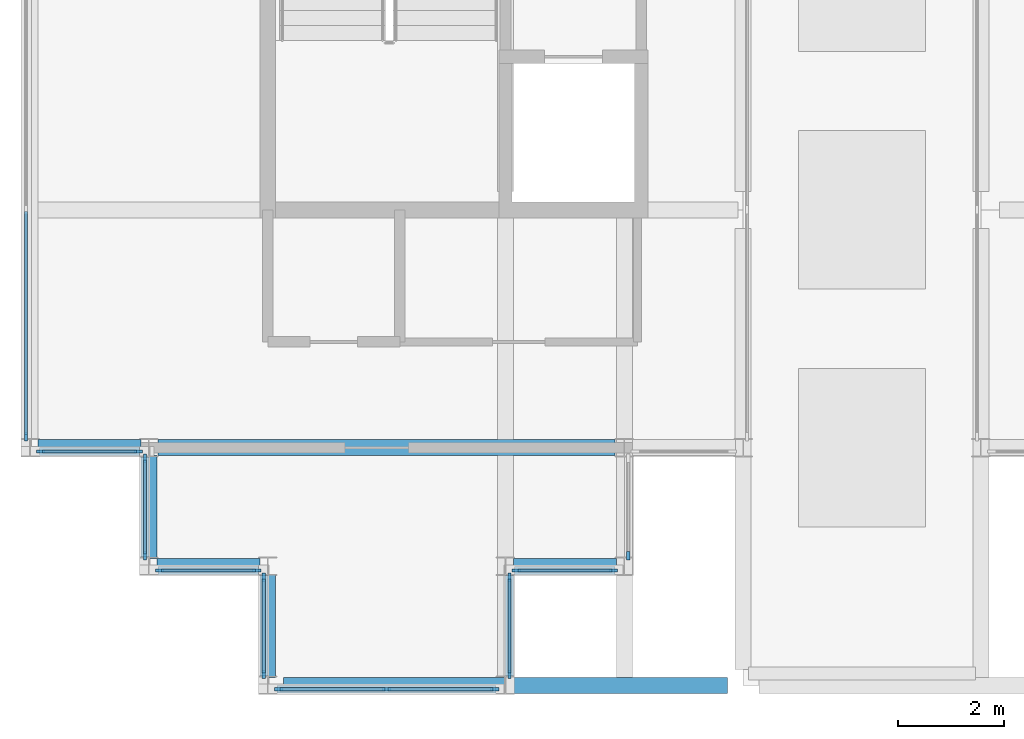
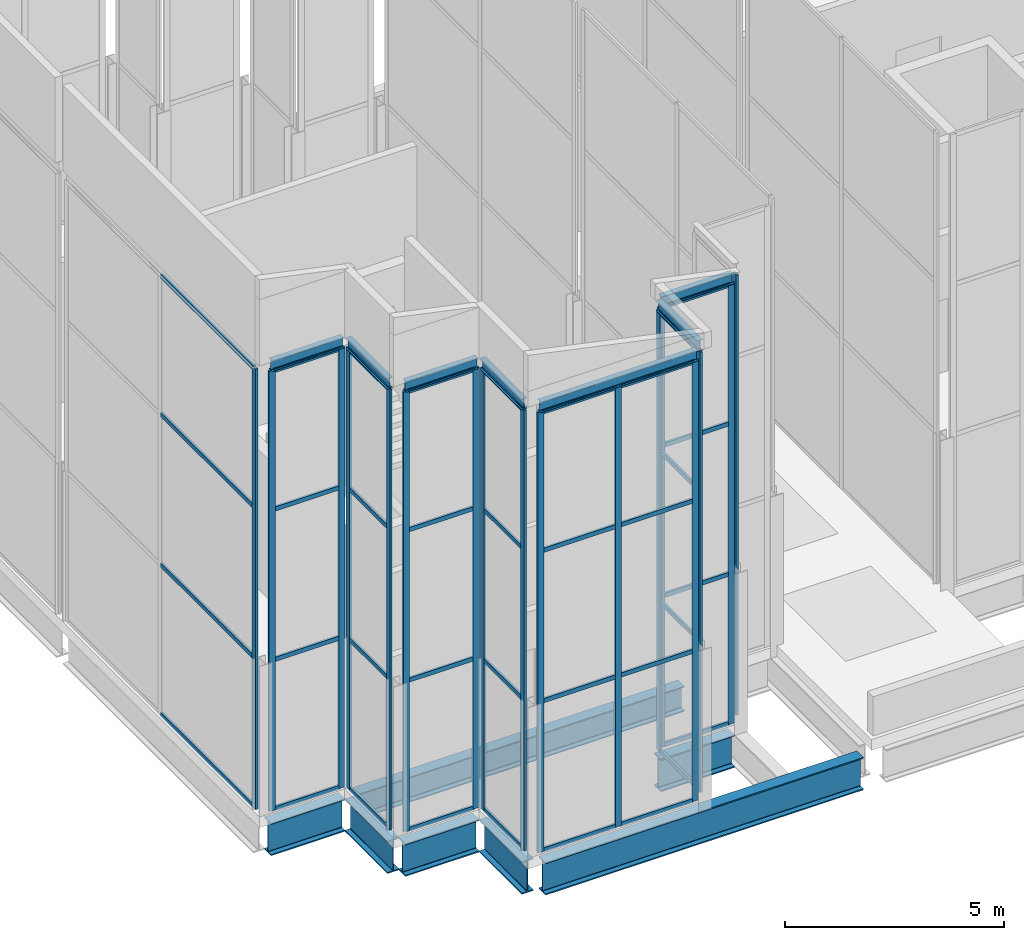
# One storey, part 2 of 23: 53 members, 14 beams, 9 elements without a shape of their own.
"""IFC4 building model written with IfcOpenShell, lengths in metres."""

from ifc_helpers import new_model, si_unit, direction, frame, origin, origin_2d, place, context, subcontext, project, spatial, rectangle, i_section, extrude, material, layer, layer_set, material_profile, profile_set, type_object, element, aggregate, save


model = new_model("IFC4")

# Units and contexts
model_context = context("Model", 3, precision=1e-05, world=origin(), true_north=direction((0.0, 1.0)))
body_context = subcontext(model_context, "Body", "Model", "MODEL_VIEW")
ifc_project = project(units=[si_unit("LENGTHUNIT", "METRE"), si_unit("AREAUNIT", "SQUARE_METRE"), si_unit("VOLUMEUNIT", "CUBIC_METRE"), si_unit("PLANEANGLEUNIT", "RADIAN"), si_unit("MASSUNIT", "GRAM", prefix="KILO")], contexts=[model_context])

# Site, building, storey
site_placement = place(None, origin())
site = spatial("IfcSite", under=ifc_project, at=site_placement, CompositionType="ELEMENT")
building_placement = place(site_placement, origin())
building = spatial("IfcBuilding", under=site, at=building_placement, Name="Caravel Reach Hotel and Residences", CompositionType="ELEMENT")
storey_placement = place(building_placement, frame((0.0, 0.0, 312.800048828125)))
storey = spatial("IfcBuildingStorey", under=building, at=storey_placement, Name="L79", CompositionType="ELEMENT", Elevation=312.800048828125)

# Beams
ifc_material_1 = material(Name="Structural steel Q355B", Category="steel")
ifc_material_profile_1 = material_profile(ifc_material_1, i_section(OverallWidth=0.14990234375, OverallDepth=0.300048828125, WebThickness=0.006591796875, FlangeThickness=0.009033203125, FilletRadius=0.012939453125, at=origin_2d()), Name="HN 300x150x6.5x9")
ifc_profile_set_1 = profile_set([ifc_material_profile_1], Name="Structural steel Q355B")
beam_type_1 = type_object("IfcBeamType", Name="Beam HN 300x150x6.5x9", PredefinedType="BEAM", material=ifc_profile_set_1)
for number, where, z_axis, x_axis, name in (
    (1, (22.574951171875, 13.675048828125, 12.449951171875), (0.0, 1.0, 0.0), (-1.0, 0.0, 0.0), "Eave tie beam west 21.1"),
    (2, (22.675048828125, 15.675048828125, 12.449951171875), (1.0, 0.0, 0.0), (0.0, 1.0, 0.0), "Eave tie beam west 22.1"),
    (3, (13.675048828125, 17.925048828125, 12.449951171875), (1.0, 0.0, 0.0), (0.0, 1.0, 0.0), "Eave tie beam west 36.1"),
    (4, (15.675048828125, 17.824951171875, 12.449951171875), (0.0, -1.0, 0.0), (1.0, 0.0, 0.0), "Eave tie beam west 37.1"),
    (5, (15.925048828125, 15.675048828125, 12.449951171875), (1.0, 0.0, 0.0), (0.0, 1.0, 0.0), "Eave tie beam west 38.1"),
    (6, (17.925048828125, 15.574951171875, 12.449951171875), (0.0, -1.0, 0.0), (1.0, 0.0, 0.0), "Eave tie beam west 39.1"),
):
    element("IfcBeam", number, at=place(storey_placement, frame(where, z_axis=z_axis, x_axis=x_axis)), inside=storey, type_object=beam_type_1, Name=name, PredefinedType="BEAM", context=body_context, shape_type="SweptSolid", body=[
        extrude(i_section(OverallWidth=0.14990234375, OverallDepth=0.300048828125, WebThickness=0.006591796875, FlangeThickness=0.009033203125, FilletRadius=0.012939453125, at=origin_2d()), origin(), (0.0, 0.0, 1.0), 1.89990234375),
    ])
beam_1_placement = place(storey_placement, frame((18.175048828125, 13.425048828125, 12.449951171875), z_axis=(1.0, 0.0, 0.0), x_axis=(0.0, 1.0, 0.0)))
element("IfcBeam", 7, at=beam_1_placement, inside=storey, type_object=beam_type_1, Name="Eave tie beam west 40.1", PredefinedType="BEAM", context=body_context, shape_type="SweptSolid", body=[
    extrude(i_section(OverallWidth=0.14990234375, OverallDepth=0.300048828125, WebThickness=0.006591796875, FlangeThickness=0.009033203125, FilletRadius=0.012939453125, at=origin_2d()), origin(), (0.0, 0.0, 1.0), 4.14990234375),
])
ifc_material_2 = material(Name="Structural steel Q355B", Category="steel")
ifc_material_profile_2 = material_profile(ifc_material_2, i_section(OverallWidth=0.300048828125, OverallDepth=0.699951171875, WebThickness=0.012939453125, FlangeThickness=0.02392578125, FilletRadius=0.01806640625, at=origin_2d()), Name="HN 700x300x13x24")
ifc_profile_set_2 = profile_set([ifc_material_profile_2], Name="Structural steel Q355B")
beam_type_2 = type_object("IfcBeamType", Name="Beam HN 700x300x13x24", PredefinedType="BEAM", material=ifc_profile_set_2)
beam_2_placement = place(storey_placement, frame((15.925048828125, 18.0, -0.650146484375), z_axis=(1.0, 0.0, 0.0), x_axis=(0.0, 1.0, 0.0)))
element("IfcBeam", 8, at=beam_2_placement, inside=storey, type_object=beam_type_2, Name="B2 HN 700x300x13x24", PredefinedType="BEAM", context=body_context, shape_type="SweptSolid", body=[
    extrude(i_section(OverallWidth=0.300048828125, OverallDepth=0.699951171875, WebThickness=0.012939453125, FlangeThickness=0.02392578125, FilletRadius=0.01806640625, at=origin_2d()), origin(), (0.0, 0.0, 1.0), 8.64990234375),
])
ifc_material_3 = material(Name="Structural steel Q355B", Category="steel")
ifc_material_profile_3 = material_profile(ifc_material_3, i_section(OverallWidth=0.302001953125, OverallDepth=0.912109375, WebThickness=0.01806640625, FlangeThickness=0.033935546875, FilletRadius=0.01806640625, at=origin_2d()), Name="HN 900x300x18x34")
ifc_profile_set_3 = profile_set([ifc_material_profile_3], Name="Structural steel Q355B")
beam_type_3 = type_object("IfcBeamType", Name="Beam HN 900x300x18x34", PredefinedType="BEAM", material=ifc_profile_set_3)
for number, where, z_axis, x_axis, name in (
    (9, (22.64990234375, 15.75, -0.756103515625), (1.0, 0.0, 0.0), (0.0, 1.0, 0.0), "B10 HN 900x300x18x34"),
    (10, (13.64990234375, 18.0, -0.756103515625), (1.0, 0.0, 0.0), (0.0, 1.0, 0.0), "B10 HN 900x300x18x34"),
    (11, (15.75, 17.85009765625, -0.756103515625), (0.0, -1.0, 0.0), (1.0, 0.0, 0.0), "B10 HN 900x300x18x34"),
    (12, (15.89990234375, 15.75, -0.756103515625), (1.0, 0.0, 0.0), (0.0, 1.0, 0.0), "B10 HN 900x300x18x34"),
    (13, (18.0, 15.60009765625, -0.756103515625), (0.0, -1.0, 0.0), (1.0, 0.0, 0.0), "B10 HN 900x300x18x34"),
):
    element("IfcBeam", number, at=place(storey_placement, frame(where, z_axis=z_axis, x_axis=x_axis)), inside=storey, type_object=beam_type_3, Name=name, PredefinedType="BEAM", context=body_context, shape_type="SweptSolid", body=[
        extrude(i_section(OverallWidth=0.302001953125, OverallDepth=0.912109375, WebThickness=0.01806640625, FlangeThickness=0.033935546875, FilletRadius=0.01806640625, at=origin_2d()), origin(), (0.0, 0.0, 1.0), 1.9501953125),
    ])
beam_3_placement = place(storey_placement, frame((18.300048828125, 13.5, -0.756103515625), z_axis=(1.0, 0.0, 0.0), x_axis=(0.0, 1.0, 0.0)))
element("IfcBeam", 14, at=beam_3_placement, inside=storey, type_object=beam_type_3, Name="Transfer girder TG-L79-Y135-180", PredefinedType="BEAM", context=body_context, shape_type="SweptSolid", body=[
    extrude(i_section(OverallWidth=0.302001953125, OverallDepth=0.912109375, WebThickness=0.01806640625, FlangeThickness=0.033935546875, FilletRadius=0.01806640625, at=origin_2d()), origin(), (0.0, 0.0, 1.0), 8.39990234375),
])

# Curtain wall, members
ifc_material_4 = material(Name="Dark low-e glazing in black aluminium frame", Category="aluminium")
ifc_layer = layer(ifc_material_4, 0.199951171875)
ifc_layer_set = layer_set([ifc_layer], Name="CW4 Crown glazing")
curtain_wall_type = type_object("IfcCurtainWallType", Name="CW4 Crown glazing", PredefinedType="NOTDEFINED", material=ifc_layer_set)
curtain_wall_1_placement = place(storey_placement, origin())
curtain_wall_1 = element("IfcCurtainWall", 15, at=curtain_wall_1_placement, inside=storey, type_object=curtain_wall_type, Name="Crown glazing b0", PredefinedType="NOTDEFINED")
ifc_material_5 = material(Name="Anodised aluminium alloy 6063-T5, black", Category="aluminium")
ifc_material_profile_4 = material_profile(ifc_material_5, rectangle(XDim=0.06005859375, YDim=0.159912109375, at=origin_2d()), Name="CW mullion 60 x 160")
ifc_profile_set_4 = profile_set([ifc_material_profile_4], Name="Anodised aluminium alloy 6063-T5, black")
member_type_1 = type_object("IfcMemberType", Name="CW mullion 60 x 160", PredefinedType="MULLION", material=ifc_profile_set_4)
member_1_placement = place(storey_placement, frame((22.574951171875, 13.705078125, 0.0), z_axis=(0.0, 0.0, 1.0), x_axis=(-1.0, 0.0, 0.0)))
member_1 = element("IfcMember", 16, at=member_1_placement, type_object=member_type_1, Name="CW4 mullion 1", PredefinedType="MULLION", context=body_context, shape_type="SweptSolid", body=[
    extrude(rectangle(XDim=0.06005859375, YDim=0.159912109375, at=origin_2d()), origin(), (0.0, 0.0, 1.0), 12.300048828125),
])
member_2_placement = place(storey_placement, frame((22.574951171875, 15.544921875, 0.0), z_axis=(0.0, 0.0, 1.0), x_axis=(-1.0, 0.0, 0.0)))
member_2 = element("IfcMember", 17, at=member_2_placement, type_object=member_type_1, Name="CW4 mullion 2", PredefinedType="MULLION", context=body_context, shape_type="SweptSolid", body=[
    extrude(rectangle(XDim=0.06005859375, YDim=0.159912109375, at=origin_2d()), origin(), (0.0, 0.0, 1.0), 12.300048828125),
])

curtain_wall_2_placement = place(storey_placement, origin())
curtain_wall_2 = element("IfcCurtainWall", 18, at=curtain_wall_2_placement, inside=storey, type_object=curtain_wall_type, Name="Crown glazing b0", PredefinedType="NOTDEFINED")
member_3_placement = place(storey_placement, frame((22.705078125, 15.675048828125, 0.0), z_axis=(0.0, 0.0, 1.0), x_axis=(0.0, 1.0, 0.0)))
member_3 = element("IfcMember", 19, at=member_3_placement, type_object=member_type_1, Name="CW4 mullion 1", PredefinedType="MULLION", context=body_context, shape_type="SweptSolid", body=[
    extrude(rectangle(XDim=0.06005859375, YDim=0.159912109375, at=origin_2d()), origin(), (0.0, 0.0, 1.0), 12.300048828125),
])
member_4_placement = place(storey_placement, frame((24.544921875, 15.675048828125, 0.0), z_axis=(0.0, 0.0, 1.0), x_axis=(0.0, 1.0, 0.0)))
member_4 = element("IfcMember", 20, at=member_4_placement, type_object=member_type_1, Name="CW4 mullion 2", PredefinedType="MULLION", context=body_context, shape_type="SweptSolid", body=[
    extrude(rectangle(XDim=0.06005859375, YDim=0.159912109375, at=origin_2d()), origin(), (0.0, 0.0, 1.0), 12.300048828125),
])

# Curtain wall, member
curtain_wall_3_placement = place(storey_placement, origin())
curtain_wall_3 = element("IfcCurtainWall", 21, at=curtain_wall_3_placement, inside=storey, type_object=curtain_wall_type, Name="Crown glazing b0", PredefinedType="NOTDEFINED")
member_5_placement = place(storey_placement, frame((24.824951171875, 15.955078125, 0.0), z_axis=(0.0, 0.0, 1.0), x_axis=(-1.0, 0.0, 0.0)))
member_5 = element("IfcMember", 22, at=member_5_placement, type_object=member_type_1, Name="CW4 mullion 1", PredefinedType="MULLION", context=body_context, shape_type="SweptSolid", body=[
    extrude(rectangle(XDim=0.06005859375, YDim=0.159912109375, at=origin_2d()), origin(), (0.0, 0.0, 1.0), 12.300048828125),
])
aggregate(curtain_wall_3, [member_5])

curtain_wall_4_placement = place(storey_placement, origin())
curtain_wall_4 = element("IfcCurtainWall", 23, at=curtain_wall_4_placement, inside=storey, type_object=curtain_wall_type, Name="Crown glazing b1", PredefinedType="NOTDEFINED")
member_6_placement = place(storey_placement, frame((13.425048828125, 18.205078125, 0.0), z_axis=(0.0, 0.0, 1.0), x_axis=(1.0, 0.0, 0.0)))
member_6 = element("IfcMember", 24, at=member_6_placement, type_object=member_type_1, Name="CW4 mullion 3", PredefinedType="MULLION", context=body_context, shape_type="SweptSolid", body=[
    extrude(rectangle(XDim=0.06005859375, YDim=0.159912109375, at=origin_2d()), origin(), (0.0, 0.0, 1.0), 12.300048828125),
])

# Curtain wall, members
curtain_wall_5_placement = place(storey_placement, origin())
curtain_wall_5 = element("IfcCurtainWall", 25, at=curtain_wall_5_placement, inside=storey, type_object=curtain_wall_type, Name="Crown glazing b0", PredefinedType="NOTDEFINED")
member_7_placement = place(storey_placement, frame((13.705078125, 17.925048828125, 0.0), z_axis=(0.0, 0.0, 1.0), x_axis=(0.0, 1.0, 0.0)))
member_7 = element("IfcMember", 26, at=member_7_placement, type_object=member_type_1, Name="CW4 mullion 1", PredefinedType="MULLION", context=body_context, shape_type="SweptSolid", body=[
    extrude(rectangle(XDim=0.06005859375, YDim=0.159912109375, at=origin_2d()), origin(), (0.0, 0.0, 1.0), 12.300048828125),
])
member_8_placement = place(storey_placement, frame((15.544921875, 17.925048828125, 0.0), z_axis=(0.0, 0.0, 1.0), x_axis=(0.0, 1.0, 0.0)))
member_8 = element("IfcMember", 27, at=member_8_placement, type_object=member_type_1, Name="CW4 mullion 2", PredefinedType="MULLION", context=body_context, shape_type="SweptSolid", body=[
    extrude(rectangle(XDim=0.06005859375, YDim=0.159912109375, at=origin_2d()), origin(), (0.0, 0.0, 1.0), 12.300048828125),
])

curtain_wall_6_placement = place(storey_placement, origin())
curtain_wall_6 = element("IfcCurtainWall", 28, at=curtain_wall_6_placement, inside=storey, type_object=curtain_wall_type, Name="Crown glazing b0", PredefinedType="NOTDEFINED")
member_9_placement = place(storey_placement, frame((15.675048828125, 17.794921875, 0.0), z_axis=(0.0, 0.0, 1.0), x_axis=(1.0, 0.0, 0.0)))
member_9 = element("IfcMember", 29, at=member_9_placement, type_object=member_type_1, Name="CW4 mullion 1", PredefinedType="MULLION", context=body_context, shape_type="SweptSolid", body=[
    extrude(rectangle(XDim=0.06005859375, YDim=0.159912109375, at=origin_2d()), origin(), (0.0, 0.0, 1.0), 12.300048828125),
])
member_10_placement = place(storey_placement, frame((15.675048828125, 15.955078125, 0.0), z_axis=(0.0, 0.0, 1.0), x_axis=(1.0, 0.0, 0.0)))
member_10 = element("IfcMember", 30, at=member_10_placement, type_object=member_type_1, Name="CW4 mullion 2", PredefinedType="MULLION", context=body_context, shape_type="SweptSolid", body=[
    extrude(rectangle(XDim=0.06005859375, YDim=0.159912109375, at=origin_2d()), origin(), (0.0, 0.0, 1.0), 12.300048828125),
])

curtain_wall_7_placement = place(storey_placement, origin())
curtain_wall_7 = element("IfcCurtainWall", 31, at=curtain_wall_7_placement, inside=storey, type_object=curtain_wall_type, Name="Crown glazing b0", PredefinedType="NOTDEFINED")
member_11_placement = place(storey_placement, frame((15.955078125, 15.675048828125, 0.0), z_axis=(0.0, 0.0, 1.0), x_axis=(0.0, 1.0, 0.0)))
member_11 = element("IfcMember", 32, at=member_11_placement, type_object=member_type_1, Name="CW4 mullion 1", PredefinedType="MULLION", context=body_context, shape_type="SweptSolid", body=[
    extrude(rectangle(XDim=0.06005859375, YDim=0.159912109375, at=origin_2d()), origin(), (0.0, 0.0, 1.0), 12.300048828125),
])
member_12_placement = place(storey_placement, frame((17.794921875, 15.675048828125, 0.0), z_axis=(0.0, 0.0, 1.0), x_axis=(0.0, 1.0, 0.0)))
member_12 = element("IfcMember", 33, at=member_12_placement, type_object=member_type_1, Name="CW4 mullion 2", PredefinedType="MULLION", context=body_context, shape_type="SweptSolid", body=[
    extrude(rectangle(XDim=0.06005859375, YDim=0.159912109375, at=origin_2d()), origin(), (0.0, 0.0, 1.0), 12.300048828125),
])

curtain_wall_8_placement = place(storey_placement, origin())
curtain_wall_8 = element("IfcCurtainWall", 34, at=curtain_wall_8_placement, inside=storey, type_object=curtain_wall_type, Name="Crown glazing b0", PredefinedType="NOTDEFINED")
member_13_placement = place(storey_placement, frame((17.925048828125, 15.544921875, 0.0), z_axis=(0.0, 0.0, 1.0), x_axis=(1.0, 0.0, 0.0)))
member_13 = element("IfcMember", 35, at=member_13_placement, type_object=member_type_1, Name="CW4 mullion 1", PredefinedType="MULLION", context=body_context, shape_type="SweptSolid", body=[
    extrude(rectangle(XDim=0.06005859375, YDim=0.159912109375, at=origin_2d()), origin(), (0.0, 0.0, 1.0), 12.300048828125),
])
member_14_placement = place(storey_placement, frame((17.925048828125, 13.705078125, 0.0), z_axis=(0.0, 0.0, 1.0), x_axis=(1.0, 0.0, 0.0)))
member_14 = element("IfcMember", 36, at=member_14_placement, type_object=member_type_1, Name="CW4 mullion 2", PredefinedType="MULLION", context=body_context, shape_type="SweptSolid", body=[
    extrude(rectangle(XDim=0.06005859375, YDim=0.159912109375, at=origin_2d()), origin(), (0.0, 0.0, 1.0), 12.300048828125),
])

curtain_wall_9_placement = place(storey_placement, origin())
curtain_wall_9 = element("IfcCurtainWall", 37, at=curtain_wall_9_placement, inside=storey, type_object=curtain_wall_type, Name="Crown glazing b0", PredefinedType="NOTDEFINED")
member_15_placement = place(storey_placement, frame((18.205078125, 13.425048828125, 0.0), z_axis=(0.0, 0.0, 1.0), x_axis=(0.0, 1.0, 0.0)))
member_15 = element("IfcMember", 38, at=member_15_placement, type_object=member_type_1, Name="CW4 mullion 1", PredefinedType="MULLION", context=body_context, shape_type="SweptSolid", body=[
    extrude(rectangle(XDim=0.06005859375, YDim=0.159912109375, at=origin_2d()), origin(), (0.0, 0.0, 1.0), 12.300048828125),
])
member_16_placement = place(storey_placement, frame((20.25, 13.425048828125, 0.0), z_axis=(0.0, 0.0, 1.0), x_axis=(0.0, 1.0, 0.0)))
member_16 = element("IfcMember", 39, at=member_16_placement, type_object=member_type_1, Name="CW4 mullion 2", PredefinedType="MULLION", context=body_context, shape_type="SweptSolid", body=[
    extrude(rectangle(XDim=0.06005859375, YDim=0.159912109375, at=origin_2d()), origin(), (0.0, 0.0, 1.0), 12.300048828125),
])
member_17_placement = place(storey_placement, frame((22.294921875, 13.425048828125, 0.0), z_axis=(0.0, 0.0, 1.0), x_axis=(0.0, 1.0, 0.0)))
member_17 = element("IfcMember", 40, at=member_17_placement, type_object=member_type_1, Name="CW4 mullion 3", PredefinedType="MULLION", context=body_context, shape_type="SweptSolid", body=[
    extrude(rectangle(XDim=0.06005859375, YDim=0.159912109375, at=origin_2d()), origin(), (0.0, 0.0, 1.0), 12.300048828125),
])

# Member
ifc_material_6 = material(Name="Anodised aluminium alloy 6063-T5, black", Category="aluminium")
ifc_material_profile_5 = material_profile(ifc_material_6, rectangle(XDim=0.06005859375, YDim=0.1201171875, at=origin_2d()), Name="CW transom 60 x 120")
ifc_profile_set_5 = profile_set([ifc_material_profile_5], Name="Anodised aluminium alloy 6063-T5, black")
member_type_2 = type_object("IfcMemberType", Name="CW transom 60 x 120", PredefinedType="USERDEFINED", material=ifc_profile_set_5)
member_18_placement = place(storey_placement, frame((22.574951171875, 13.735107421875, 0.030029296875), z_axis=(0.0, 1.0, 0.0), x_axis=(-1.0, 0.0, 0.0)))
member_18 = element("IfcMember", 41, at=member_18_placement, type_object=member_type_2, Name="CW4 transom 1.1", ObjectType="TRANSOM", PredefinedType="USERDEFINED", context=body_context, shape_type="SweptSolid", body=[
    extrude(rectangle(XDim=0.06005859375, YDim=0.1201171875, at=origin_2d()), origin(), (0.0, 0.0, 1.0), 1.77978515625),
])

member_19_placement = place(storey_placement, frame((22.574951171875, 13.735107421875, 4.199951171875), z_axis=(0.0, 1.0, 0.0), x_axis=(-1.0, 0.0, 0.0)))
member_19 = element("IfcMember", 42, at=member_19_placement, type_object=member_type_2, Name="CW4 transom 1.2", ObjectType="TRANSOM", PredefinedType="USERDEFINED", context=body_context, shape_type="SweptSolid", body=[
    extrude(rectangle(XDim=0.06005859375, YDim=0.1201171875, at=origin_2d()), origin(), (0.0, 0.0, 1.0), 1.77978515625),
])

member_20_placement = place(storey_placement, frame((22.574951171875, 13.735107421875, 8.39990234375), z_axis=(0.0, 1.0, 0.0), x_axis=(-1.0, 0.0, 0.0)))
member_20 = element("IfcMember", 43, at=member_20_placement, type_object=member_type_2, Name="CW4 transom 1.3", ObjectType="TRANSOM", PredefinedType="USERDEFINED", context=body_context, shape_type="SweptSolid", body=[
    extrude(rectangle(XDim=0.06005859375, YDim=0.1201171875, at=origin_2d()), origin(), (0.0, 0.0, 1.0), 1.77978515625),
])

member_21_placement = place(storey_placement, frame((22.574951171875, 13.735107421875, 12.27001953125), z_axis=(0.0, 1.0, 0.0), x_axis=(-1.0, 0.0, 0.0)))
member_21 = element("IfcMember", 44, at=member_21_placement, type_object=member_type_2, Name="CW4 transom 1.4", ObjectType="TRANSOM", PredefinedType="USERDEFINED", context=body_context, shape_type="SweptSolid", body=[
    extrude(rectangle(XDim=0.06005859375, YDim=0.1201171875, at=origin_2d()), origin(), (0.0, 0.0, 1.0), 1.77978515625),
])

aggregate(curtain_wall_1, [member_1, member_2, member_18, member_19, member_20, member_21])

member_22_placement = place(storey_placement, frame((22.735107421875, 15.675048828125, 0.030029296875), z_axis=(1.0, 0.0, 0.0), x_axis=(0.0, 1.0, 0.0)))
member_22 = element("IfcMember", 45, at=member_22_placement, type_object=member_type_2, Name="CW4 transom 1.1", ObjectType="TRANSOM", PredefinedType="USERDEFINED", context=body_context, shape_type="SweptSolid", body=[
    extrude(rectangle(XDim=0.06005859375, YDim=0.1201171875, at=origin_2d()), origin(), (0.0, 0.0, 1.0), 1.77978515625),
])

member_23_placement = place(storey_placement, frame((22.735107421875, 15.675048828125, 4.199951171875), z_axis=(1.0, 0.0, 0.0), x_axis=(0.0, 1.0, 0.0)))
member_23 = element("IfcMember", 46, at=member_23_placement, type_object=member_type_2, Name="CW4 transom 1.2", ObjectType="TRANSOM", PredefinedType="USERDEFINED", context=body_context, shape_type="SweptSolid", body=[
    extrude(rectangle(XDim=0.06005859375, YDim=0.1201171875, at=origin_2d()), origin(), (0.0, 0.0, 1.0), 1.77978515625),
])

member_24_placement = place(storey_placement, frame((22.735107421875, 15.675048828125, 8.39990234375), z_axis=(1.0, 0.0, 0.0), x_axis=(0.0, 1.0, 0.0)))
member_24 = element("IfcMember", 47, at=member_24_placement, type_object=member_type_2, Name="CW4 transom 1.3", ObjectType="TRANSOM", PredefinedType="USERDEFINED", context=body_context, shape_type="SweptSolid", body=[
    extrude(rectangle(XDim=0.06005859375, YDim=0.1201171875, at=origin_2d()), origin(), (0.0, 0.0, 1.0), 1.77978515625),
])

member_25_placement = place(storey_placement, frame((22.735107421875, 15.675048828125, 12.27001953125), z_axis=(1.0, 0.0, 0.0), x_axis=(0.0, 1.0, 0.0)))
member_25 = element("IfcMember", 48, at=member_25_placement, type_object=member_type_2, Name="CW4 transom 1.4", ObjectType="TRANSOM", PredefinedType="USERDEFINED", context=body_context, shape_type="SweptSolid", body=[
    extrude(rectangle(XDim=0.06005859375, YDim=0.1201171875, at=origin_2d()), origin(), (0.0, 0.0, 1.0), 1.77978515625),
])

aggregate(curtain_wall_2, [member_3, member_4, member_22, member_23, member_24, member_25])

member_26_placement = place(storey_placement, frame((13.425048828125, 22.469970703125, 0.030029296875), z_axis=(0.0, -1.0, 0.0), x_axis=(1.0, 0.0, 0.0)))
member_26 = element("IfcMember", 49, at=member_26_placement, type_object=member_type_2, Name="CW4 transom 2.1", ObjectType="TRANSOM", PredefinedType="USERDEFINED", context=body_context, shape_type="SweptSolid", body=[
    extrude(rectangle(XDim=0.06005859375, YDim=0.1201171875, at=origin_2d()), origin(), (0.0, 0.0, 1.0), 4.23486328125),
])

member_27_placement = place(storey_placement, frame((13.425048828125, 22.469970703125, 4.199951171875), z_axis=(0.0, -1.0, 0.0), x_axis=(1.0, 0.0, 0.0)))
member_27 = element("IfcMember", 50, at=member_27_placement, type_object=member_type_2, Name="CW4 transom 2.2", ObjectType="TRANSOM", PredefinedType="USERDEFINED", context=body_context, shape_type="SweptSolid", body=[
    extrude(rectangle(XDim=0.06005859375, YDim=0.1201171875, at=origin_2d()), origin(), (0.0, 0.0, 1.0), 4.23486328125),
])

member_28_placement = place(storey_placement, frame((13.425048828125, 22.469970703125, 8.39990234375), z_axis=(0.0, -1.0, 0.0), x_axis=(1.0, 0.0, 0.0)))
member_28 = element("IfcMember", 51, at=member_28_placement, type_object=member_type_2, Name="CW4 transom 2.3", ObjectType="TRANSOM", PredefinedType="USERDEFINED", context=body_context, shape_type="SweptSolid", body=[
    extrude(rectangle(XDim=0.06005859375, YDim=0.1201171875, at=origin_2d()), origin(), (0.0, 0.0, 1.0), 4.23486328125),
])

member_29_placement = place(storey_placement, frame((13.425048828125, 22.469970703125, 12.27001953125), z_axis=(0.0, -1.0, 0.0), x_axis=(1.0, 0.0, 0.0)))
member_29 = element("IfcMember", 52, at=member_29_placement, type_object=member_type_2, Name="CW4 transom 2.4", ObjectType="TRANSOM", PredefinedType="USERDEFINED", context=body_context, shape_type="SweptSolid", body=[
    extrude(rectangle(XDim=0.06005859375, YDim=0.1201171875, at=origin_2d()), origin(), (0.0, 0.0, 1.0), 4.23486328125),
])

aggregate(curtain_wall_4, [member_6, member_26, member_27, member_28, member_29])

member_30_placement = place(storey_placement, frame((13.735107421875, 17.925048828125, 0.030029296875), z_axis=(1.0, 0.0, 0.0), x_axis=(0.0, 1.0, 0.0)))
member_30 = element("IfcMember", 53, at=member_30_placement, type_object=member_type_2, Name="CW4 transom 1.1", ObjectType="TRANSOM", PredefinedType="USERDEFINED", context=body_context, shape_type="SweptSolid", body=[
    extrude(rectangle(XDim=0.06005859375, YDim=0.1201171875, at=origin_2d()), origin(), (0.0, 0.0, 1.0), 1.77978515625),
])

member_31_placement = place(storey_placement, frame((13.735107421875, 17.925048828125, 4.199951171875), z_axis=(1.0, 0.0, 0.0), x_axis=(0.0, 1.0, 0.0)))
member_31 = element("IfcMember", 54, at=member_31_placement, type_object=member_type_2, Name="CW4 transom 1.2", ObjectType="TRANSOM", PredefinedType="USERDEFINED", context=body_context, shape_type="SweptSolid", body=[
    extrude(rectangle(XDim=0.06005859375, YDim=0.1201171875, at=origin_2d()), origin(), (0.0, 0.0, 1.0), 1.77978515625),
])

member_32_placement = place(storey_placement, frame((13.735107421875, 17.925048828125, 8.39990234375), z_axis=(1.0, 0.0, 0.0), x_axis=(0.0, 1.0, 0.0)))
member_32 = element("IfcMember", 55, at=member_32_placement, type_object=member_type_2, Name="CW4 transom 1.3", ObjectType="TRANSOM", PredefinedType="USERDEFINED", context=body_context, shape_type="SweptSolid", body=[
    extrude(rectangle(XDim=0.06005859375, YDim=0.1201171875, at=origin_2d()), origin(), (0.0, 0.0, 1.0), 1.77978515625),
])

member_33_placement = place(storey_placement, frame((13.735107421875, 17.925048828125, 12.27001953125), z_axis=(1.0, 0.0, 0.0), x_axis=(0.0, 1.0, 0.0)))
member_33 = element("IfcMember", 56, at=member_33_placement, type_object=member_type_2, Name="CW4 transom 1.4", ObjectType="TRANSOM", PredefinedType="USERDEFINED", context=body_context, shape_type="SweptSolid", body=[
    extrude(rectangle(XDim=0.06005859375, YDim=0.1201171875, at=origin_2d()), origin(), (0.0, 0.0, 1.0), 1.77978515625),
])

aggregate(curtain_wall_5, [member_7, member_8, member_30, member_31, member_32, member_33])

member_34_placement = place(storey_placement, frame((15.675048828125, 17.764892578125, 0.030029296875), z_axis=(0.0, -1.0, 0.0), x_axis=(1.0, 0.0, 0.0)))
member_34 = element("IfcMember", 57, at=member_34_placement, type_object=member_type_2, Name="CW4 transom 1.1", ObjectType="TRANSOM", PredefinedType="USERDEFINED", context=body_context, shape_type="SweptSolid", body=[
    extrude(rectangle(XDim=0.06005859375, YDim=0.1201171875, at=origin_2d()), origin(), (0.0, 0.0, 1.0), 1.77978515625),
])

member_35_placement = place(storey_placement, frame((15.675048828125, 17.764892578125, 4.199951171875), z_axis=(0.0, -1.0, 0.0), x_axis=(1.0, 0.0, 0.0)))
member_35 = element("IfcMember", 58, at=member_35_placement, type_object=member_type_2, Name="CW4 transom 1.2", ObjectType="TRANSOM", PredefinedType="USERDEFINED", context=body_context, shape_type="SweptSolid", body=[
    extrude(rectangle(XDim=0.06005859375, YDim=0.1201171875, at=origin_2d()), origin(), (0.0, 0.0, 1.0), 1.77978515625),
])

member_36_placement = place(storey_placement, frame((15.675048828125, 17.764892578125, 8.39990234375), z_axis=(0.0, -1.0, 0.0), x_axis=(1.0, 0.0, 0.0)))
member_36 = element("IfcMember", 59, at=member_36_placement, type_object=member_type_2, Name="CW4 transom 1.3", ObjectType="TRANSOM", PredefinedType="USERDEFINED", context=body_context, shape_type="SweptSolid", body=[
    extrude(rectangle(XDim=0.06005859375, YDim=0.1201171875, at=origin_2d()), origin(), (0.0, 0.0, 1.0), 1.77978515625),
])

member_37_placement = place(storey_placement, frame((15.675048828125, 17.764892578125, 12.27001953125), z_axis=(0.0, -1.0, 0.0), x_axis=(1.0, 0.0, 0.0)))
member_37 = element("IfcMember", 60, at=member_37_placement, type_object=member_type_2, Name="CW4 transom 1.4", ObjectType="TRANSOM", PredefinedType="USERDEFINED", context=body_context, shape_type="SweptSolid", body=[
    extrude(rectangle(XDim=0.06005859375, YDim=0.1201171875, at=origin_2d()), origin(), (0.0, 0.0, 1.0), 1.77978515625),
])

aggregate(curtain_wall_6, [member_9, member_10, member_34, member_35, member_36, member_37])

member_38_placement = place(storey_placement, frame((15.985107421875, 15.675048828125, 0.030029296875), z_axis=(1.0, 0.0, 0.0), x_axis=(0.0, 1.0, 0.0)))
member_38 = element("IfcMember", 61, at=member_38_placement, type_object=member_type_2, Name="CW4 transom 1.1", ObjectType="TRANSOM", PredefinedType="USERDEFINED", context=body_context, shape_type="SweptSolid", body=[
    extrude(rectangle(XDim=0.06005859375, YDim=0.1201171875, at=origin_2d()), origin(), (0.0, 0.0, 1.0), 1.77978515625),
])

member_39_placement = place(storey_placement, frame((15.985107421875, 15.675048828125, 4.199951171875), z_axis=(1.0, 0.0, 0.0), x_axis=(0.0, 1.0, 0.0)))
member_39 = element("IfcMember", 62, at=member_39_placement, type_object=member_type_2, Name="CW4 transom 1.2", ObjectType="TRANSOM", PredefinedType="USERDEFINED", context=body_context, shape_type="SweptSolid", body=[
    extrude(rectangle(XDim=0.06005859375, YDim=0.1201171875, at=origin_2d()), origin(), (0.0, 0.0, 1.0), 1.77978515625),
])

member_40_placement = place(storey_placement, frame((15.985107421875, 15.675048828125, 8.39990234375), z_axis=(1.0, 0.0, 0.0), x_axis=(0.0, 1.0, 0.0)))
member_40 = element("IfcMember", 63, at=member_40_placement, type_object=member_type_2, Name="CW4 transom 1.3", ObjectType="TRANSOM", PredefinedType="USERDEFINED", context=body_context, shape_type="SweptSolid", body=[
    extrude(rectangle(XDim=0.06005859375, YDim=0.1201171875, at=origin_2d()), origin(), (0.0, 0.0, 1.0), 1.77978515625),
])

member_41_placement = place(storey_placement, frame((15.985107421875, 15.675048828125, 12.27001953125), z_axis=(1.0, 0.0, 0.0), x_axis=(0.0, 1.0, 0.0)))
member_41 = element("IfcMember", 64, at=member_41_placement, type_object=member_type_2, Name="CW4 transom 1.4", ObjectType="TRANSOM", PredefinedType="USERDEFINED", context=body_context, shape_type="SweptSolid", body=[
    extrude(rectangle(XDim=0.06005859375, YDim=0.1201171875, at=origin_2d()), origin(), (0.0, 0.0, 1.0), 1.77978515625),
])

aggregate(curtain_wall_7, [member_11, member_12, member_38, member_39, member_40, member_41])

member_42_placement = place(storey_placement, frame((17.925048828125, 15.514892578125, 0.030029296875), z_axis=(0.0, -1.0, 0.0), x_axis=(1.0, 0.0, 0.0)))
member_42 = element("IfcMember", 65, at=member_42_placement, type_object=member_type_2, Name="CW4 transom 1.1", ObjectType="TRANSOM", PredefinedType="USERDEFINED", context=body_context, shape_type="SweptSolid", body=[
    extrude(rectangle(XDim=0.06005859375, YDim=0.1201171875, at=origin_2d()), origin(), (0.0, 0.0, 1.0), 1.77978515625),
])

member_43_placement = place(storey_placement, frame((17.925048828125, 15.514892578125, 4.199951171875), z_axis=(0.0, -1.0, 0.0), x_axis=(1.0, 0.0, 0.0)))
member_43 = element("IfcMember", 66, at=member_43_placement, type_object=member_type_2, Name="CW4 transom 1.2", ObjectType="TRANSOM", PredefinedType="USERDEFINED", context=body_context, shape_type="SweptSolid", body=[
    extrude(rectangle(XDim=0.06005859375, YDim=0.1201171875, at=origin_2d()), origin(), (0.0, 0.0, 1.0), 1.77978515625),
])

member_44_placement = place(storey_placement, frame((17.925048828125, 15.514892578125, 8.39990234375), z_axis=(0.0, -1.0, 0.0), x_axis=(1.0, 0.0, 0.0)))
member_44 = element("IfcMember", 67, at=member_44_placement, type_object=member_type_2, Name="CW4 transom 1.3", ObjectType="TRANSOM", PredefinedType="USERDEFINED", context=body_context, shape_type="SweptSolid", body=[
    extrude(rectangle(XDim=0.06005859375, YDim=0.1201171875, at=origin_2d()), origin(), (0.0, 0.0, 1.0), 1.77978515625),
])

member_45_placement = place(storey_placement, frame((17.925048828125, 15.514892578125, 12.27001953125), z_axis=(0.0, -1.0, 0.0), x_axis=(1.0, 0.0, 0.0)))
member_45 = element("IfcMember", 68, at=member_45_placement, type_object=member_type_2, Name="CW4 transom 1.4", ObjectType="TRANSOM", PredefinedType="USERDEFINED", context=body_context, shape_type="SweptSolid", body=[
    extrude(rectangle(XDim=0.06005859375, YDim=0.1201171875, at=origin_2d()), origin(), (0.0, 0.0, 1.0), 1.77978515625),
])

aggregate(curtain_wall_8, [member_13, member_14, member_42, member_43, member_44, member_45])

member_46_placement = place(storey_placement, frame((18.235107421875, 13.425048828125, 0.030029296875), z_axis=(1.0, 0.0, 0.0), x_axis=(0.0, 1.0, 0.0)))
member_46 = element("IfcMember", 69, at=member_46_placement, type_object=member_type_2, Name="CW4 transom 1.1", ObjectType="TRANSOM", PredefinedType="USERDEFINED", context=body_context, shape_type="SweptSolid", body=[
    extrude(rectangle(XDim=0.06005859375, YDim=0.1201171875, at=origin_2d()), origin(), (0.0, 0.0, 1.0), 1.98486328125),
])

member_47_placement = place(storey_placement, frame((18.235107421875, 13.425048828125, 4.199951171875), z_axis=(1.0, 0.0, 0.0), x_axis=(0.0, 1.0, 0.0)))
member_47 = element("IfcMember", 70, at=member_47_placement, type_object=member_type_2, Name="CW4 transom 1.2", ObjectType="TRANSOM", PredefinedType="USERDEFINED", context=body_context, shape_type="SweptSolid", body=[
    extrude(rectangle(XDim=0.06005859375, YDim=0.1201171875, at=origin_2d()), origin(), (0.0, 0.0, 1.0), 1.98486328125),
])

member_48_placement = place(storey_placement, frame((18.235107421875, 13.425048828125, 8.39990234375), z_axis=(1.0, 0.0, 0.0), x_axis=(0.0, 1.0, 0.0)))
member_48 = element("IfcMember", 71, at=member_48_placement, type_object=member_type_2, Name="CW4 transom 1.3", ObjectType="TRANSOM", PredefinedType="USERDEFINED", context=body_context, shape_type="SweptSolid", body=[
    extrude(rectangle(XDim=0.06005859375, YDim=0.1201171875, at=origin_2d()), origin(), (0.0, 0.0, 1.0), 1.98486328125),
])

member_49_placement = place(storey_placement, frame((18.235107421875, 13.425048828125, 12.27001953125), z_axis=(1.0, 0.0, 0.0), x_axis=(0.0, 1.0, 0.0)))
member_49 = element("IfcMember", 72, at=member_49_placement, type_object=member_type_2, Name="CW4 transom 1.4", ObjectType="TRANSOM", PredefinedType="USERDEFINED", context=body_context, shape_type="SweptSolid", body=[
    extrude(rectangle(XDim=0.06005859375, YDim=0.1201171875, at=origin_2d()), origin(), (0.0, 0.0, 1.0), 1.98486328125),
])

member_50_placement = place(storey_placement, frame((20.280029296875, 13.425048828125, 0.030029296875), z_axis=(1.0, 0.0, 0.0), x_axis=(0.0, 1.0, 0.0)))
member_50 = element("IfcMember", 73, at=member_50_placement, type_object=member_type_2, Name="CW4 transom 2.1", ObjectType="TRANSOM", PredefinedType="USERDEFINED", context=body_context, shape_type="SweptSolid", body=[
    extrude(rectangle(XDim=0.06005859375, YDim=0.1201171875, at=origin_2d()), origin(), (0.0, 0.0, 1.0), 1.98486328125),
])

member_51_placement = place(storey_placement, frame((20.280029296875, 13.425048828125, 4.199951171875), z_axis=(1.0, 0.0, 0.0), x_axis=(0.0, 1.0, 0.0)))
member_51 = element("IfcMember", 74, at=member_51_placement, type_object=member_type_2, Name="CW4 transom 2.2", ObjectType="TRANSOM", PredefinedType="USERDEFINED", context=body_context, shape_type="SweptSolid", body=[
    extrude(rectangle(XDim=0.06005859375, YDim=0.1201171875, at=origin_2d()), origin(), (0.0, 0.0, 1.0), 1.98486328125),
])

member_52_placement = place(storey_placement, frame((20.280029296875, 13.425048828125, 8.39990234375), z_axis=(1.0, 0.0, 0.0), x_axis=(0.0, 1.0, 0.0)))
member_52 = element("IfcMember", 75, at=member_52_placement, type_object=member_type_2, Name="CW4 transom 2.3", ObjectType="TRANSOM", PredefinedType="USERDEFINED", context=body_context, shape_type="SweptSolid", body=[
    extrude(rectangle(XDim=0.06005859375, YDim=0.1201171875, at=origin_2d()), origin(), (0.0, 0.0, 1.0), 1.98486328125),
])

member_53_placement = place(storey_placement, frame((20.280029296875, 13.425048828125, 12.27001953125), z_axis=(1.0, 0.0, 0.0), x_axis=(0.0, 1.0, 0.0)))
member_53 = element("IfcMember", 76, at=member_53_placement, type_object=member_type_2, Name="CW4 transom 2.4", ObjectType="TRANSOM", PredefinedType="USERDEFINED", context=body_context, shape_type="SweptSolid", body=[
    extrude(rectangle(XDim=0.06005859375, YDim=0.1201171875, at=origin_2d()), origin(), (0.0, 0.0, 1.0), 1.98486328125),
])

aggregate(curtain_wall_9, [member_15, member_16, member_17, member_46, member_47, member_48, member_49, member_50, member_51, member_52, member_53])

save(model, "model.ifc")
